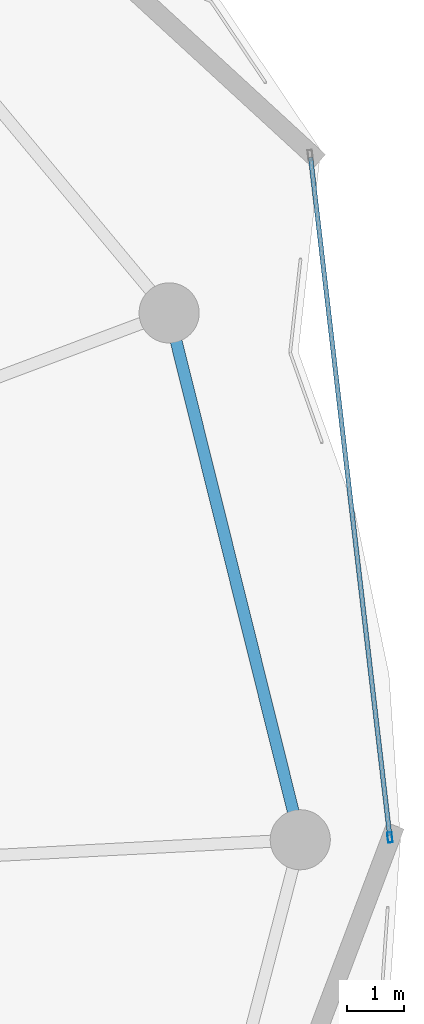
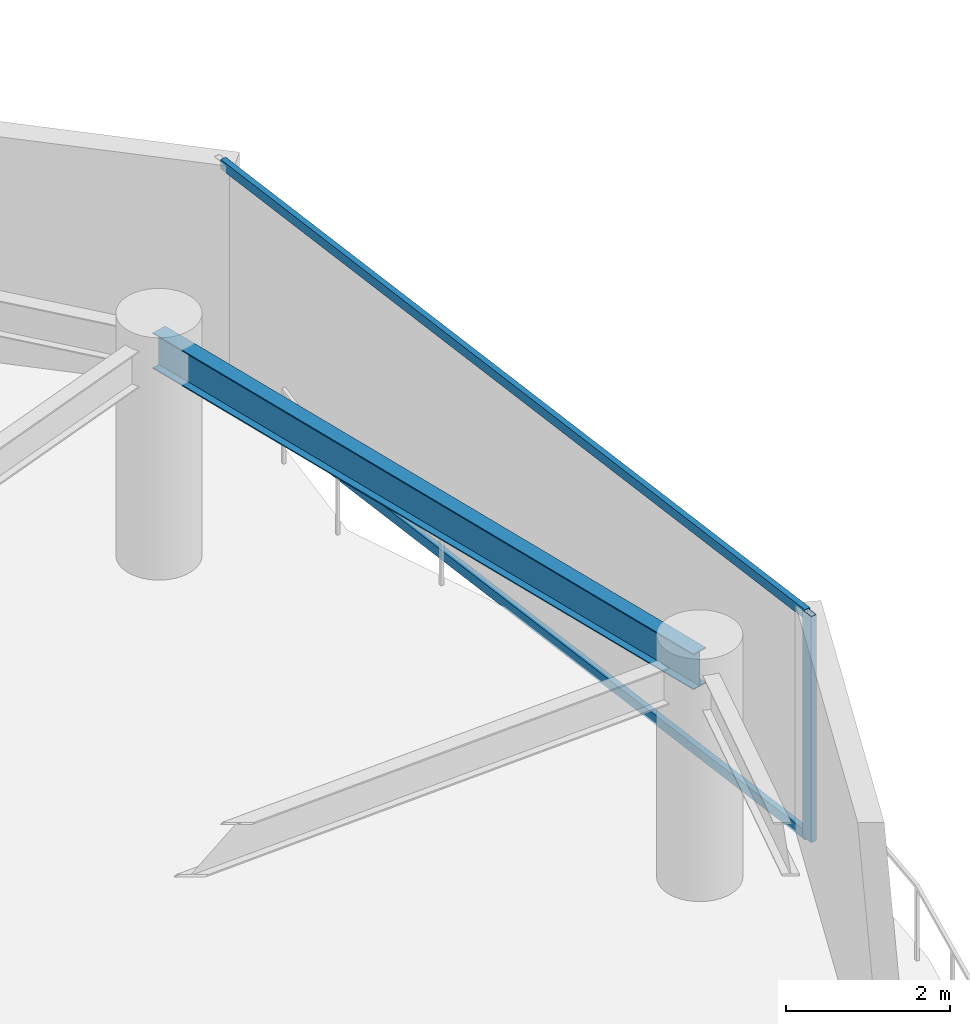
# One storey, part 16 of 31: 3 members, 1 beam, 1 element without a shape of its own.
"""IFC4 building model written with IfcOpenShell, lengths in metres."""

from ifc_helpers import new_model, si_unit, direction, frame, origin, origin_2d, place, context, subcontext, project, spatial, hollow_rectangle, i_section, extrude, material, layer, layer_set, material_profile, profile_set, type_object, element, aggregate, save


model = new_model("IFC4")

# Units and contexts
model_context = context("Model", 3, precision=1e-05, world=origin(), true_north=direction((0.0, 1.0)))
body_context = subcontext(model_context, "Body", "Model", "MODEL_VIEW")
ifc_project = project(units=[si_unit("LENGTHUNIT", "METRE"), si_unit("AREAUNIT", "SQUARE_METRE"), si_unit("VOLUMEUNIT", "CUBIC_METRE"), si_unit("PLANEANGLEUNIT", "RADIAN"), si_unit("MASSUNIT", "GRAM", prefix="KILO")], contexts=[model_context])

# Site, building, storey
site_placement = place(None, origin())
site = spatial("IfcSite", under=ifc_project, at=site_placement, CompositionType="ELEMENT")
building_placement = place(site_placement, origin())
building = spatial("IfcBuilding", under=site, at=building_placement, Name="Kazevale Care Tower and Concert Hall", CompositionType="ELEMENT")
storey_placement = place(building_placement, frame((0.0, 0.0, 235.199951171875)))
storey = spatial("IfcBuildingStorey", under=building, at=storey_placement, Name="L62", CompositionType="ELEMENT", Elevation=235.199951171875)

# Curtain wall, members
ifc_material_1 = material(Name="Aluminium 6063-T6 and Low-E Glass", Category="aluminium")
ifc_layer = layer(ifc_material_1, 0.179931640625)
ifc_layer_set = layer_set([ifc_layer], Name="Aluminium 6063-T6 and Low-E Glass")
curtain_wall_type = type_object("IfcCurtainWallType", Name="Waist & Upper Residential Curtain Wall CW-4", PredefinedType="NOTDEFINED", material=ifc_layer_set)
curtain_wall_placement = place(storey_placement, origin())
curtain_wall = element("IfcCurtainWall", 1, at=curtain_wall_placement, inside=storey, type_object=curtain_wall_type, Name="cw:L62:f18", PredefinedType="NOTDEFINED")
ifc_material_2 = material(Name="Aluminium 6063-T6", Category="aluminium")
ifc_material_profile_1 = material_profile(ifc_material_2, hollow_rectangle(XDim=0.080078125, YDim=0.179931640625, WallThickness=0.0048828125, at=origin_2d()), Name="ALU80x180x5")
ifc_profile_set_1 = profile_set([ifc_material_profile_1], Name="Aluminium 6063-T6")
member_type_1 = type_object("IfcMemberType", Name="CW-4 Mullion ALU80x180x5", PredefinedType="MULLION", material=ifc_profile_set_1)
member_1_placement = place(storey_placement, frame((76.615478515625, 38.039794921875, 0.0), z_axis=(0.0, 0.0, 1.0), x_axis=(0.993267109779, 0.115846659989, 0.0)))
member_1 = element("IfcMember", 2, at=member_1_placement, type_object=member_type_1, Name="CW-4 mullion 2", PredefinedType="MULLION", context=body_context, shape_type="SweptSolid", body=[
    extrude(hollow_rectangle(XDim=0.080078125, YDim=0.179931640625, WallThickness=0.0048828125, at=origin_2d()), origin(), (0.0, 0.0, 1.0), 3.360107421875),
])
ifc_material_profile_2 = material_profile(ifc_material_2, hollow_rectangle(XDim=0.080078125, YDim=0.139892578125, WallThickness=0.00390625, at=origin_2d()), Name="ALU80x140x4")
ifc_profile_set_2 = profile_set([ifc_material_profile_2], Name="Aluminium 6063-T6")
member_type_2 = type_object("IfcMemberType", Name="CW-4 Transom ALU80x140x4", PredefinedType="USERDEFINED", material=ifc_profile_set_2)
member_2_placement = place(storey_placement, frame((75.230224609375, 49.91552734375, 0.0400390625), z_axis=(0.115858128775, -0.993265772086, 0.0), x_axis=(0.993265772086, 0.115858128775, 0.0)))
member_2 = element("IfcMember", 3, at=member_2_placement, type_object=member_type_2, Name="CW-4 transom 1.1", ObjectType="TRANSOM", PredefinedType="USERDEFINED", context=body_context, shape_type="SweptSolid", body=[
    extrude(hollow_rectangle(XDim=0.080078125, YDim=0.139892578125, WallThickness=0.00390625, at=origin_2d()), origin(), (0.0, 0.0, 1.0), 11.91650390625),
])
member_3_placement = place(storey_placement, frame((75.230224609375, 49.91552734375, 3.320068359375), z_axis=(0.115858128775, -0.993265772086, 0.0), x_axis=(0.993265772086, 0.115858128775, 0.0)))
member_3 = element("IfcMember", 4, at=member_3_placement, type_object=member_type_2, Name="CW-4 transom 1.2", ObjectType="TRANSOM", PredefinedType="USERDEFINED", context=body_context, shape_type="SweptSolid", body=[
    extrude(hollow_rectangle(XDim=0.080078125, YDim=0.139892578125, WallThickness=0.00390625, at=origin_2d()), origin(), (0.0, 0.0, 1.0), 11.91650390625),
])
aggregate(curtain_wall, [member_1, member_2, member_3])

# Beam
ifc_material_3 = material(Name="Steel ASTM A572 Gr 50", Category="steel")
ifc_material_profile_3 = material_profile(ifc_material_3, i_section(OverallWidth=0.208984375, OverallDepth=0.532958984375, WebThickness=0.01025390625, FlangeThickness=0.015625, at=origin_2d()), Name="W530x92")
ifc_profile_set_3 = profile_set([ifc_material_profile_3], Name="Steel ASTM A572 Gr 50")
beam_type = type_object("IfcBeamType", Name="Upper Ring Beam W530x92", PredefinedType="BEAM", material=ifc_profile_set_3)
beam_placement = place(storey_placement, frame((75.050048828125, 38.0, 3.093505859375), z_axis=(-0.241547858543, 0.970388907621, 0.0), x_axis=(-0.970388907621, -0.241547858543, 0.0)))
element("IfcBeam", 5, at=beam_placement, inside=storey, type_object=beam_type, Name="beam:L62:ring:01", PredefinedType="BEAM", context=body_context, shape_type="SweptSolid", body=[
    extrude(i_section(OverallWidth=0.208984375, OverallDepth=0.532958984375, WebThickness=0.01025390625, FlangeThickness=0.015625, at=origin_2d()), origin(), (0.0, 0.0, 1.0), 9.480712890625),
])

save(model, "model.ifc")
